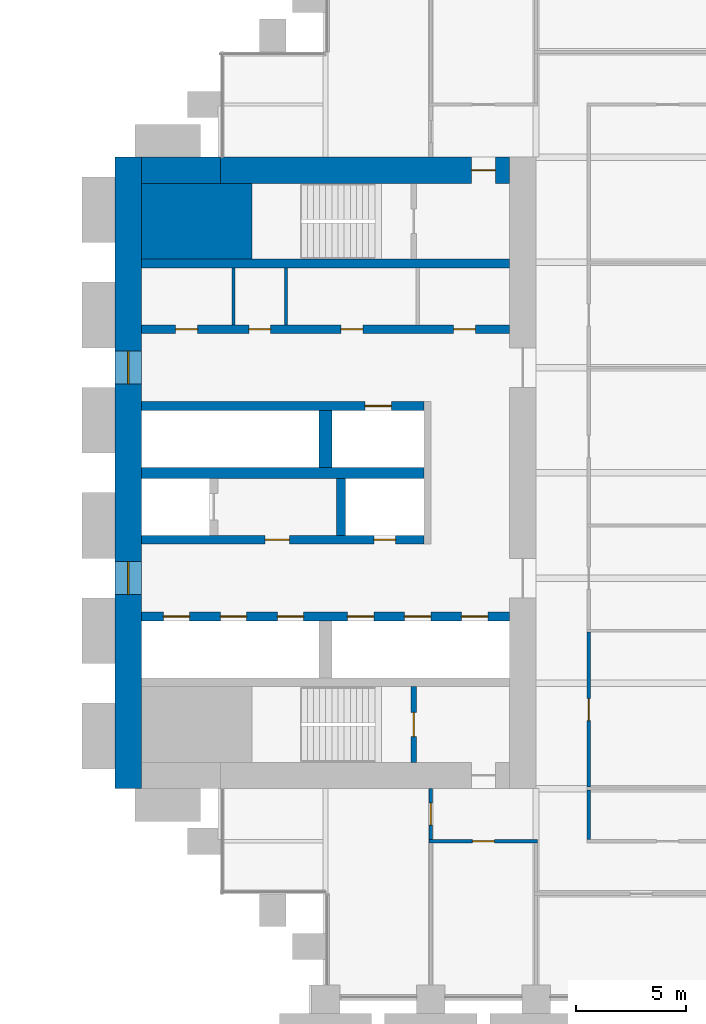
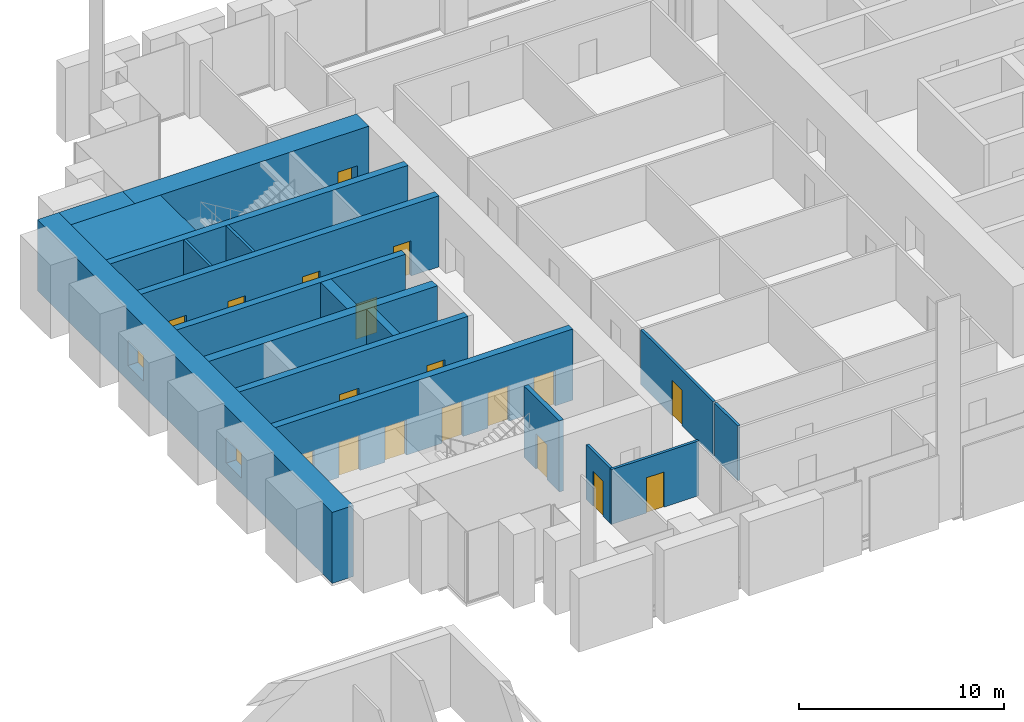
# One storey, part 17 of 22: 19 walls, 18 doors, 2 windows, 20 openings.
"""IFC4 building model written with IfcOpenShell, lengths in metres."""

from ifc_helpers import new_model, si_unit, direction, frame, frame_2d, origin, place, context, subcontext, project, spatial, rectangle, extrude, material, layer, layer_set, type_object, element, fill, save


model = new_model("IFC4")

# Units and contexts
model_context = context("Model", 3, precision=1e-05, world=origin(), true_north=direction((0.0, 1.0)))
body_context = subcontext(model_context, "Body", "Model", "MODEL_VIEW")
ifc_project = project(units=[si_unit("LENGTHUNIT", "METRE"), si_unit("AREAUNIT", "SQUARE_METRE"), si_unit("VOLUMEUNIT", "CUBIC_METRE"), si_unit("PLANEANGLEUNIT", "RADIAN"), si_unit("MASSUNIT", "GRAM", prefix="KILO")], contexts=[model_context])

# Site, building, storey
site_placement = place(None, origin())
site = spatial("IfcSite", under=ifc_project, at=site_placement, CompositionType="ELEMENT")
building_placement = place(site_placement, origin())
building = spatial("IfcBuilding", under=site, at=building_placement, Name="Baori Bourse Tower", CompositionType="ELEMENT")
storey_placement = place(building_placement, frame((0.0, 0.0, 25.800048828125)))
storey = spatial("IfcBuildingStorey", under=building, at=storey_placement, Name="L04", CompositionType="ELEMENT", Elevation=25.800048828125)

# Walls
ifc_material_1 = material(Name="Concrete f'c 70 MPa", Category="concrete")
wall_type_1 = type_object("IfcWallType", Name="Core corner block f'c 70", PredefinedType="SHEAR", material=ifc_material_1)
wall_1_placement = place(storey_placement, frame((1.199951171875, 35.47509765625, 0.0), z_axis=(0.0, 0.0, 1.0), x_axis=(1.0, 0.0, 0.0)))
element("IfcWall", 1, at=wall_1_placement, inside=storey, type_object=wall_type_1, Name="Core wall W22", PredefinedType="SHEAR", context=body_context, shape_type="SweptSolid", body=[
    extrude(rectangle(XDim=5.050048828125, YDim=3.449951171875, at=frame_2d((2.52490234375, 0.0))), origin(), (0.0, 0.0, 1.0), 4.239990234375),
])
ifc_material_2 = material(Name="Blockwork partition", Category="masonry")
ifc_layer_1 = layer(ifc_material_2, 0.14990234375)
ifc_layer_set_1 = layer_set([ifc_layer_1], Name="Core partition 150")
wall_type_2 = type_object("IfcWallType", Name="Core partition 150", PredefinedType="PARTITIONING", material=ifc_layer_set_1)
for number, where, z_axis, x_axis, name in (
    (2, (5.39990234375, 30.75, 0.0), (0.0, 0.0, 1.0), (0.0, 1.0, 0.0), "Partition wall W18"),
    (3, (7.800048828125, 30.75, 0.0), (0.0, 0.0, 1.0), (0.0, 1.0, 0.0), "Partition wall W19"),
):
    element("IfcWall", number, at=place(storey_placement, frame(where, z_axis=z_axis, x_axis=x_axis)), inside=storey, type_object=wall_type_2, Name=name, PredefinedType="PARTITIONING", context=body_context, shape_type="SweptSolid", body=[
        extrude(rectangle(XDim=2.60009765625, YDim=0.14990234375, at=frame_2d((1.300048828125, 0.0))), origin(), (0.0, 0.0, 1.0), 4.239990234375),
    ])

# Wall, openings, windows
ifc_material_3 = material(Name="Concrete f'c 70 MPa", Category="concrete")
ifc_layer_2 = layer(ifc_material_3, 1.199951171875)
ifc_layer_set_2 = layer_set([ifc_layer_2], Name="Core wall 1200 f'c 70")
wall_type_3 = type_object("IfcWallType", Name="Core wall 1200 f'c 70", PredefinedType="SHEAR", material=ifc_layer_set_2)
wall_2_placement = place(storey_placement, frame((0.60009765625, 9.60009765625, 0.0), z_axis=(0.0, 0.0, 1.0), x_axis=(0.0, 1.0, 0.0)))
wall_2 = element("IfcWall", 4, at=wall_2_placement, inside=storey, type_object=wall_type_3, Name="Core wall W01", PredefinedType="SHEAR", context=body_context, shape_type="SweptSolid", body=[
    extrude(rectangle(XDim=28.7998046875, YDim=1.199951171875, at=frame_2d((14.39990234375, 0.0))), origin(), (0.0, 0.0, 1.0), 4.239990234375),
])
opening_1_placement = place(wall_2_placement, frame((8.85009765625, 0.0, 0.89990234375)))
opening_1 = element("IfcOpeningElement", 5, at=opening_1_placement, cuts=wall_2, Name="Opening L04-KW101", PredefinedType="OPENING", context=body_context, shape_type="SweptSolid", body=[
    extrude(rectangle(XDim=1.5, YDim=1.5, at=frame_2d((0.75, 0.75))), frame((0.0, 0.60986328125, 0.0), z_axis=(0.0, -1.0, 0.0), x_axis=(1.0, 0.0, 0.0)), (0.0, 0.0, 1.0), 1.219970703125),
])
opening_2_placement = place(wall_2_placement, frame((18.449951171875, 0.0, 0.89990234375)))
opening_2 = element("IfcOpeningElement", 6, at=opening_2_placement, cuts=wall_2, Name="Opening L04-KW102", PredefinedType="OPENING", context=body_context, shape_type="SweptSolid", body=[
    extrude(rectangle(XDim=1.5, YDim=1.5, at=frame_2d((0.75, 0.75))), frame((0.0, 0.60986328125, 0.0), z_axis=(0.0, -1.0, 0.0), x_axis=(1.0, 0.0, 0.0)), (0.0, 0.0, 1.0), 1.219970703125),
])
ifc_material_4 = material(Name="Pale anodised aluminium", Category="aluminium")
window_type = type_object("IfcWindowType", Name="Lobby window 1500 x 1500", PartitioningType="SINGLE_PANEL", PredefinedType="WINDOW", material=ifc_material_4)
window_1_placement = place(opening_1_placement, origin())
window_1 = element("IfcWindow", 7, at=window_1_placement, inside=storey, type_object=window_type, Name="Outer wall window W L04 1", OverallHeight=1.5, OverallWidth=1.5, PartitioningType="SINGLE_PANEL", PredefinedType="WINDOW", context=body_context, shape_type="SweptSolid", body=[
    extrude(rectangle(XDim=1.5, YDim=1.5, at=frame_2d((0.75, 0.75))), frame((0.0, 0.030029296875, 0.0), z_axis=(0.0, -1.0, 0.0), x_axis=(1.0, 0.0, 0.0)), (0.0, 0.0, 1.0), 0.06005859375),
])
fill(opening_1, window_1)
window_2_placement = place(opening_2_placement, origin())
window_2 = element("IfcWindow", 8, at=window_2_placement, inside=storey, type_object=window_type, Name="Outer wall window W L04 2", OverallHeight=1.5, OverallWidth=1.5, PartitioningType="SINGLE_PANEL", PredefinedType="WINDOW", context=body_context, shape_type="SweptSolid", body=[
    extrude(rectangle(XDim=1.5, YDim=1.5, at=frame_2d((0.75, 0.75))), frame((0.0, 0.030029296875, 0.0), z_axis=(0.0, -1.0, 0.0), x_axis=(1.0, 0.0, 0.0)), (0.0, 0.0, 1.0), 0.06005859375),
])
fill(opening_2, window_2)

# Wall
wall_3_placement = place(storey_placement, frame((1.199951171875, 37.800048828125, 0.0), z_axis=(0.0, 0.0, 1.0), x_axis=(1.0, 0.0, 0.0)))
element("IfcWall", 9, at=wall_3_placement, inside=storey, type_object=wall_type_3, Name="Core wall W24", PredefinedType="SHEAR", context=body_context, shape_type="SweptSolid", body=[
    extrude(rectangle(XDim=3.60009765625, YDim=1.199951171875, at=frame_2d((1.800048828125, 0.0))), origin(), (0.0, 0.0, 1.0), 4.239990234375),
])

# Wall, opening, door
wall_4_placement = place(storey_placement, frame((4.800048828125, 37.800048828125, 0.0), z_axis=(0.0, 0.0, 1.0), x_axis=(1.0, 0.0, 0.0)))
wall_4 = element("IfcWall", 10, at=wall_4_placement, inside=storey, type_object=wall_type_3, Name="Core wall W25", PredefinedType="SHEAR", context=body_context, shape_type="SweptSolid", body=[
    extrude(rectangle(XDim=13.199951171875, YDim=1.199951171875, at=frame_2d((6.60009765625, 0.0))), origin(), (0.0, 0.0, 1.0), 4.239990234375),
])
opening_3_placement = place(wall_4_placement, frame((11.449951171875, 0.0, 0.0)))
opening_3 = element("IfcOpeningElement", 11, at=opening_3_placement, cuts=wall_4, Name="Opening L04-D104", PredefinedType="OPENING", context=body_context, shape_type="SweptSolid", body=[
    extrude(rectangle(XDim=1.10009765625, YDim=2.10009765625, at=frame_2d((0.550048828125, 1.050048828125))), frame((0.0, 0.60986328125, 0.0), z_axis=(0.0, -1.0, 0.0), x_axis=(1.0, 0.0, 0.0)), (0.0, 0.0, 1.0), 1.219970703125),
])
ifc_material_5 = material(Name="Painted steel door", Category="steel")
door_type_1 = type_object("IfcDoorType", Name="Stair door 1100", OperationType="SINGLE_SWING_LEFT", PredefinedType="DOOR", material=ifc_material_5)
door_1_placement = place(opening_3_placement, origin())
door_1 = element("IfcDoor", 12, at=door_1_placement, inside=storey, type_object=door_type_1, Name="Stair vestibule door B W L04", OperationType="SINGLE_SWING_LEFT", OverallHeight=2.10009765625, OverallWidth=1.10009765625, PredefinedType="DOOR", context=body_context, shape_type="SweptSolid", body=[
    extrude(rectangle(XDim=1.10009765625, YDim=2.10009765625, at=frame_2d((0.550048828125, 1.050048828125))), frame((0.0, 0.02490234375, 0.0), z_axis=(0.0, -1.0, 0.0), x_axis=(1.0, 0.0, 0.0)), (0.0, 0.0, 1.0), 0.050048828125),
])
fill(opening_3, door_1)

ifc_material_6 = material(Name="Gypsum board partition")
ifc_layer_3 = layer(ifc_material_6, 0.14990234375)
ifc_layer_set_3 = layer_set([ifc_layer_3], Name="Corridor partition 150")
wall_type_4 = type_object("IfcWallType", Name="Corridor partition 150", PredefinedType="PARTITIONING", material=ifc_layer_set_3)
wall_5_placement = place(storey_placement, frame((14.324951171875, 7.199951171875, 0.0), z_axis=(0.0, 0.0, 1.0), x_axis=(1.0, 0.0, 0.0)))
wall_5 = element("IfcWall", 13, at=wall_5_placement, inside=storey, type_object=wall_type_4, Name="Partition", PredefinedType="PARTITIONING", context=body_context, shape_type="SweptSolid", body=[
    extrude(rectangle(XDim=4.949951171875, YDim=0.14990234375, at=frame_2d((2.47509765625, 0.0))), origin(), (0.0, 0.0, 1.0), 3.269775390625),
])
opening_4_placement = place(wall_5_placement, frame((1.97509765625, 0.0, 0.0)))
opening_4 = element("IfcOpeningElement", 14, at=opening_4_placement, cuts=wall_5, Name="Opening L04-D03", PredefinedType="OPENING", context=body_context, shape_type="SweptSolid", body=[
    extrude(rectangle(XDim=1.0, YDim=2.10009765625, at=frame_2d((0.5, 1.050048828125))), frame((0.0, 0.0849609375, 0.0), z_axis=(0.0, -1.0, 0.0), x_axis=(1.0, 0.0, 0.0)), (0.0, 0.0, 1.0), 0.169921875),
])
ifc_material_7 = material(Name="Timber door leaf", Category="wood")
door_type_2 = type_object("IfcDoorType", Name="Door 1000 x 2100", OperationType="SINGLE_SWING_LEFT", PredefinedType="DOOR", material=ifc_material_7)
door_2_placement = place(opening_4_placement, origin())
door_2 = element("IfcDoor", 15, at=door_2_placement, inside=storey, type_object=door_type_2, Name="Door", OperationType="SINGLE_SWING_RIGHT", OverallHeight=2.10009765625, OverallWidth=1.0, PredefinedType="DOOR", context=body_context, shape_type="SweptSolid", body=[
    extrude(rectangle(XDim=1.0, YDim=2.10009765625, at=frame_2d((0.5, 1.050048828125))), frame((0.0, 0.02490234375, 0.0), z_axis=(0.0, -1.0, 0.0), x_axis=(1.0, 0.0, 0.0)), (0.0, 0.0, 1.0), 0.050048828125),
])
fill(opening_4, door_2)

wall_6_placement = place(storey_placement, frame((14.39990234375, 7.27490234375, 0.0), z_axis=(0.0, 0.0, 1.0), x_axis=(0.0, 1.0, 0.0)))
wall_6 = element("IfcWall", 16, at=wall_6_placement, inside=storey, type_object=wall_type_4, Name="Partition", PredefinedType="PARTITIONING", context=body_context, shape_type="SweptSolid", body=[
    extrude(rectangle(XDim=2.3251953125, YDim=0.14990234375, at=frame_2d((1.16259765625, 0.0))), origin(), (0.0, 0.0, 1.0), 3.269775390625),
])
opening_5_placement = place(wall_6_placement, frame((0.66259765625, 0.0, 0.0)))
opening_5 = element("IfcOpeningElement", 17, at=opening_5_placement, cuts=wall_6, Name="Opening L04-D15", PredefinedType="OPENING", context=body_context, shape_type="SweptSolid", body=[
    extrude(rectangle(XDim=1.0, YDim=2.10009765625, at=frame_2d((0.5, 1.050048828125))), frame((0.0, 0.0849609375, 0.0), z_axis=(0.0, -1.0, 0.0), x_axis=(1.0, 0.0, 0.0)), (0.0, 0.0, 1.0), 0.169921875),
])
door_3_placement = place(opening_5_placement, origin())
door_3 = element("IfcDoor", 18, at=door_3_placement, inside=storey, type_object=door_type_2, Name="Door", OperationType="SINGLE_SWING_RIGHT", OverallHeight=2.10009765625, OverallWidth=1.0, PredefinedType="DOOR", context=body_context, shape_type="SweptSolid", body=[
    extrude(rectangle(XDim=1.0, YDim=2.10009765625, at=frame_2d((0.5, 1.050048828125))), frame((0.0, 0.02490234375, 0.0), z_axis=(0.0, -1.0, 0.0), x_axis=(1.0, 0.0, 0.0)), (0.0, 0.0, 1.0), 0.050048828125),
])
fill(opening_5, door_3)

# Wall
wall_7_placement = place(storey_placement, frame((21.60009765625, 7.27490234375, 0.0), z_axis=(0.0, 0.0, 1.0), x_axis=(0.0, 1.0, 0.0)))
element("IfcWall", 19, at=wall_7_placement, inside=storey, type_object=wall_type_4, Name="Partition", PredefinedType="PARTITIONING", context=body_context, shape_type="SweptSolid", body=[
    extrude(rectangle(XDim=2.2626953125, YDim=0.14990234375, at=frame_2d((1.13134765625, 0.0))), origin(), (0.0, 0.0, 1.0), 3.269775390625),
])

# Wall, opening, door
wall_8_placement = place(storey_placement, frame((21.60009765625, 9.66259765625, 0.0), z_axis=(0.0, 0.0, 1.0), x_axis=(0.0, 1.0, 0.0)))
wall_8 = element("IfcWall", 20, at=wall_8_placement, inside=storey, type_object=wall_type_4, Name="Partition", PredefinedType="PARTITIONING", context=body_context, shape_type="SweptSolid", body=[
    extrude(rectangle(XDim=7.074951171875, YDim=0.14990234375, at=frame_2d((3.53759765625, 0.0))), origin(), (0.0, 0.0, 1.0), 3.269775390625),
])
opening_6_placement = place(wall_8_placement, frame((3.03759765625, 0.0, 0.0)))
opening_6 = element("IfcOpeningElement", 21, at=opening_6_placement, cuts=wall_8, Name="Opening L04-D17", PredefinedType="OPENING", context=body_context, shape_type="SweptSolid", body=[
    extrude(rectangle(XDim=1.0, YDim=2.10009765625, at=frame_2d((0.5, 1.050048828125))), frame((0.0, 0.0849609375, 0.0), z_axis=(0.0, -1.0, 0.0), x_axis=(1.0, 0.0, 0.0)), (0.0, 0.0, 1.0), 0.169921875),
])
door_4_placement = place(opening_6_placement, origin())
door_4 = element("IfcDoor", 22, at=door_4_placement, inside=storey, type_object=door_type_2, Name="Door", OperationType="SINGLE_SWING_LEFT", OverallHeight=2.10009765625, OverallWidth=1.0, PredefinedType="DOOR", context=body_context, shape_type="SweptSolid", body=[
    extrude(rectangle(XDim=1.0, YDim=2.10009765625, at=frame_2d((0.5, 1.050048828125))), frame((0.0, 0.02490234375, 0.0), z_axis=(0.0, -1.0, 0.0), x_axis=(1.0, 0.0, 0.0)), (0.0, 0.0, 1.0), 0.050048828125),
])
fill(opening_6, door_4)

ifc_material_8 = material(Name="Concrete f'c 70 MPa", Category="concrete")
ifc_layer_4 = layer(ifc_material_8, 0.25)
ifc_layer_set_4 = layer_set([ifc_layer_4], Name="Shaft wall 250 f'c 70")
wall_type_5 = type_object("IfcWallType", Name="Shaft wall 250 f'c 70", PredefinedType="SHEAR", material=ifc_layer_set_4)
wall_9_placement = place(storey_placement, frame((13.625, 10.800048828125, 0.0), z_axis=(0.0, 0.0, 1.0), x_axis=(0.0, 1.0, 0.0)))
wall_9 = element("IfcWall", 23, at=wall_9_placement, inside=storey, type_object=wall_type_5, Name="Core wall W06", PredefinedType="SHEAR", context=body_context, shape_type="SweptSolid", body=[
    extrude(rectangle(XDim=3.449951171875, YDim=0.25, at=frame_2d((1.72509765625, 0.0))), origin(), (0.0, 0.0, 1.0), 4.239990234375),
])
opening_7_placement = place(wall_9_placement, frame((1.175048828125, 0.0, 0.0)))
opening_7 = element("IfcOpeningElement", 24, at=opening_7_placement, cuts=wall_9, Name="Opening L04-D101", PredefinedType="OPENING", context=body_context, shape_type="SweptSolid", body=[
    extrude(rectangle(XDim=1.10009765625, YDim=2.10009765625, at=frame_2d((0.550048828125, 1.050048828125))), frame((0.0, 0.135009765625, 0.0), z_axis=(0.0, -1.0, 0.0), x_axis=(1.0, 0.0, 0.0)), (0.0, 0.0, 1.0), 0.27001953125),
])
door_5_placement = place(opening_7_placement, origin())
door_5 = element("IfcDoor", 25, at=door_5_placement, inside=storey, type_object=door_type_1, Name="Stair door A W L04", OperationType="SINGLE_SWING_LEFT", OverallHeight=2.10009765625, OverallWidth=1.10009765625, PredefinedType="DOOR", context=body_context, shape_type="SweptSolid", body=[
    extrude(rectangle(XDim=1.10009765625, YDim=2.10009765625, at=frame_2d((0.550048828125, 1.050048828125))), frame((0.0, 0.02490234375, 0.0), z_axis=(0.0, -1.0, 0.0), x_axis=(1.0, 0.0, 0.0)), (0.0, 0.0, 1.0), 0.050048828125),
])
fill(opening_7, door_5)

# Wall, openings, doors
ifc_material_9 = material(Name="Concrete f'c 70 MPa", Category="concrete")
ifc_layer_5 = layer(ifc_material_9, 0.39990234375)
ifc_layer_set_5 = layer_set([ifc_layer_5], Name="Shaft wall 400 f'c 70")
wall_type_6 = type_object("IfcWallType", Name="Shaft wall 400 f'c 70", PredefinedType="SHEAR", material=ifc_layer_set_5)
wall_10_placement = place(storey_placement, frame((1.199951171875, 17.449951171875, 0.0), z_axis=(0.0, 0.0, 1.0), x_axis=(1.0, 0.0, 0.0)))
wall_10 = element("IfcWall", 26, at=wall_10_placement, inside=storey, type_object=wall_type_6, Name="Core wall W09", PredefinedType="SHEAR", context=body_context, shape_type="SweptSolid", body=[
    extrude(rectangle(XDim=16.800048828125, YDim=0.39990234375, at=frame_2d((8.39990234375, 0.0))), origin(), (0.0, 0.0, 1.0), 4.239990234375),
])
opening_8_placement = place(wall_10_placement, frame((1.0, 0.0, 0.0)))
opening_8 = element("IfcOpeningElement", 27, at=opening_8_placement, cuts=wall_10, Name="Opening L04-D113", PredefinedType="OPENING", context=body_context, shape_type="SweptSolid", body=[
    extrude(rectangle(XDim=1.199951171875, YDim=2.10009765625, at=frame_2d((0.60009765625, 1.050048828125))), frame((0.0, 0.2099609375, 0.0), z_axis=(0.0, -1.0, 0.0), x_axis=(1.0, 0.0, 0.0)), (0.0, 0.0, 1.0), 0.419921875),
])
opening_9_placement = place(wall_10_placement, frame((3.60009765625, 0.0, 0.0)))
opening_9 = element("IfcOpeningElement", 28, at=opening_9_placement, cuts=wall_10, Name="Opening L04-D114", PredefinedType="OPENING", context=body_context, shape_type="SweptSolid", body=[
    extrude(rectangle(XDim=1.199951171875, YDim=2.10009765625, at=frame_2d((0.60009765625, 1.050048828125))), frame((0.0, 0.2099609375, 0.0), z_axis=(0.0, -1.0, 0.0), x_axis=(1.0, 0.0, 0.0)), (0.0, 0.0, 1.0), 0.419921875),
])
opening_10_placement = place(wall_10_placement, frame((6.199951171875, 0.0, 0.0)))
opening_10 = element("IfcOpeningElement", 29, at=opening_10_placement, cuts=wall_10, Name="Opening L04-D115", PredefinedType="OPENING", context=body_context, shape_type="SweptSolid", body=[
    extrude(rectangle(XDim=1.199951171875, YDim=2.10009765625, at=frame_2d((0.60009765625, 1.050048828125))), frame((0.0, 0.2099609375, 0.0), z_axis=(0.0, -1.0, 0.0), x_axis=(1.0, 0.0, 0.0)), (0.0, 0.0, 1.0), 0.419921875),
])
opening_11_placement = place(wall_10_placement, frame((9.39990234375, 0.0, 0.0)))
opening_11 = element("IfcOpeningElement", 30, at=opening_11_placement, cuts=wall_10, Name="Opening L04-D116", PredefinedType="OPENING", context=body_context, shape_type="SweptSolid", body=[
    extrude(rectangle(XDim=1.199951171875, YDim=2.10009765625, at=frame_2d((0.60009765625, 1.050048828125))), frame((0.0, 0.2099609375, 0.0), z_axis=(0.0, -1.0, 0.0), x_axis=(1.0, 0.0, 0.0)), (0.0, 0.0, 1.0), 0.419921875),
])
opening_12_placement = place(wall_10_placement, frame((12.0, 0.0, 0.0)))
opening_12 = element("IfcOpeningElement", 31, at=opening_12_placement, cuts=wall_10, Name="Opening L04-D117", PredefinedType="OPENING", context=body_context, shape_type="SweptSolid", body=[
    extrude(rectangle(XDim=1.199951171875, YDim=2.10009765625, at=frame_2d((0.60009765625, 1.050048828125))), frame((0.0, 0.2099609375, 0.0), z_axis=(0.0, -1.0, 0.0), x_axis=(1.0, 0.0, 0.0)), (0.0, 0.0, 1.0), 0.419921875),
])
opening_13_placement = place(wall_10_placement, frame((14.60009765625, 0.0, 0.0)))
opening_13 = element("IfcOpeningElement", 32, at=opening_13_placement, cuts=wall_10, Name="Opening L04-D118", PredefinedType="OPENING", context=body_context, shape_type="SweptSolid", body=[
    extrude(rectangle(XDim=1.199951171875, YDim=2.10009765625, at=frame_2d((0.60009765625, 1.050048828125))), frame((0.0, 0.2099609375, 0.0), z_axis=(0.0, -1.0, 0.0), x_axis=(1.0, 0.0, 0.0)), (0.0, 0.0, 1.0), 0.419921875),
])
ifc_material_10 = material(Name="Stainless steel door", Category="steel")
door_type_3 = type_object("IfcDoorType", Name="Lift landing door", OperationType="DOUBLE_DOOR_SLIDING", PredefinedType="DOOR", material=ifc_material_10)
door_6_placement = place(opening_8_placement, origin())
door_6 = element("IfcDoor", 33, at=door_6_placement, inside=storey, type_object=door_type_3, Name="Lift landing door LR1 W L04", OperationType="DOUBLE_DOOR_SLIDING", OverallHeight=2.10009765625, OverallWidth=1.199951171875, PredefinedType="DOOR", context=body_context, shape_type="SweptSolid", body=[
    extrude(rectangle(XDim=1.199951171875, YDim=2.10009765625, at=frame_2d((0.60009765625, 1.050048828125))), frame((0.0, 0.02490234375, 0.0), z_axis=(0.0, -1.0, 0.0), x_axis=(1.0, 0.0, 0.0)), (0.0, 0.0, 1.0), 0.050048828125),
])
fill(opening_8, door_6)
door_7_placement = place(opening_9_placement, origin())
door_7 = element("IfcDoor", 34, at=door_7_placement, inside=storey, type_object=door_type_3, Name="Lift landing door LR2 W L04", OperationType="DOUBLE_DOOR_SLIDING", OverallHeight=2.10009765625, OverallWidth=1.199951171875, PredefinedType="DOOR", context=body_context, shape_type="SweptSolid", body=[
    extrude(rectangle(XDim=1.199951171875, YDim=2.10009765625, at=frame_2d((0.60009765625, 1.050048828125))), frame((0.0, 0.02490234375, 0.0), z_axis=(0.0, -1.0, 0.0), x_axis=(1.0, 0.0, 0.0)), (0.0, 0.0, 1.0), 0.050048828125),
])
fill(opening_9, door_7)
door_8_placement = place(opening_10_placement, origin())
door_8 = element("IfcDoor", 35, at=door_8_placement, inside=storey, type_object=door_type_3, Name="Lift landing door LR3 W L04", OperationType="DOUBLE_DOOR_SLIDING", OverallHeight=2.10009765625, OverallWidth=1.199951171875, PredefinedType="DOOR", context=body_context, shape_type="SweptSolid", body=[
    extrude(rectangle(XDim=1.199951171875, YDim=2.10009765625, at=frame_2d((0.60009765625, 1.050048828125))), frame((0.0, 0.02490234375, 0.0), z_axis=(0.0, -1.0, 0.0), x_axis=(1.0, 0.0, 0.0)), (0.0, 0.0, 1.0), 0.050048828125),
])
fill(opening_10, door_8)
door_9_placement = place(opening_11_placement, origin())
door_9 = element("IfcDoor", 36, at=door_9_placement, inside=storey, type_object=door_type_3, Name="Lift landing door LR4 W L04", OperationType="DOUBLE_DOOR_SLIDING", OverallHeight=2.10009765625, OverallWidth=1.199951171875, PredefinedType="DOOR", context=body_context, shape_type="SweptSolid", body=[
    extrude(rectangle(XDim=1.199951171875, YDim=2.10009765625, at=frame_2d((0.60009765625, 1.050048828125))), frame((0.0, 0.02490234375, 0.0), z_axis=(0.0, -1.0, 0.0), x_axis=(1.0, 0.0, 0.0)), (0.0, 0.0, 1.0), 0.050048828125),
])
fill(opening_11, door_9)
door_10_placement = place(opening_12_placement, origin())
door_10 = element("IfcDoor", 37, at=door_10_placement, inside=storey, type_object=door_type_3, Name="Lift landing door LR5 W L04", OperationType="DOUBLE_DOOR_SLIDING", OverallHeight=2.10009765625, OverallWidth=1.199951171875, PredefinedType="DOOR", context=body_context, shape_type="SweptSolid", body=[
    extrude(rectangle(XDim=1.199951171875, YDim=2.10009765625, at=frame_2d((0.60009765625, 1.050048828125))), frame((0.0, 0.02490234375, 0.0), z_axis=(0.0, -1.0, 0.0), x_axis=(1.0, 0.0, 0.0)), (0.0, 0.0, 1.0), 0.050048828125),
])
fill(opening_12, door_10)
door_11_placement = place(opening_13_placement, origin())
door_11 = element("IfcDoor", 38, at=door_11_placement, inside=storey, type_object=door_type_3, Name="Lift landing door LR6 W L04", OperationType="DOUBLE_DOOR_SLIDING", OverallHeight=2.10009765625, OverallWidth=1.199951171875, PredefinedType="DOOR", context=body_context, shape_type="SweptSolid", body=[
    extrude(rectangle(XDim=1.199951171875, YDim=2.10009765625, at=frame_2d((0.60009765625, 1.050048828125))), frame((0.0, 0.02490234375, 0.0), z_axis=(0.0, -1.0, 0.0), x_axis=(1.0, 0.0, 0.0)), (0.0, 0.0, 1.0), 0.050048828125),
])
fill(opening_13, door_11)

wall_11_placement = place(storey_placement, frame((1.199951171875, 20.949951171875, 0.0), z_axis=(0.0, 0.0, 1.0), x_axis=(1.0, 0.0, 0.0)))
wall_11 = element("IfcWall", 39, at=wall_11_placement, inside=storey, type_object=wall_type_6, Name="Core wall W10", PredefinedType="SHEAR", context=body_context, shape_type="SweptSolid", body=[
    extrude(rectangle(XDim=12.900146484375, YDim=0.39990234375, at=frame_2d((6.4501953125, 0.0))), origin(), (0.0, 0.0, 1.0), 4.239990234375),
])
opening_14_placement = place(wall_11_placement, frame((5.64990234375, 0.0, 0.0)))
opening_14 = element("IfcOpeningElement", 40, at=opening_14_placement, cuts=wall_11, Name="Opening L04-D105", PredefinedType="OPENING", context=body_context, shape_type="SweptSolid", body=[
    extrude(rectangle(XDim=1.10009765625, YDim=2.10009765625, at=frame_2d((0.550048828125, 1.050048828125))), frame((0.0, 0.2099609375, 0.0), z_axis=(0.0, -1.0, 0.0), x_axis=(1.0, 0.0, 0.0)), (0.0, 0.0, 1.0), 0.419921875),
])
opening_15_placement = place(wall_11_placement, frame((10.60009765625, 0.0, 0.0)))
opening_15 = element("IfcOpeningElement", 41, at=opening_15_placement, cuts=wall_11, Name="Opening L04-D106", PredefinedType="OPENING", context=body_context, shape_type="SweptSolid", body=[
    extrude(rectangle(XDim=1.0, YDim=2.10009765625, at=frame_2d((0.5, 1.050048828125))), frame((0.0, 0.2099609375, 0.0), z_axis=(0.0, -1.0, 0.0), x_axis=(1.0, 0.0, 0.0)), (0.0, 0.0, 1.0), 0.419921875),
])
ifc_material_11 = material(Name="Painted steel door", Category="steel")
door_type_4 = type_object("IfcDoorType", Name="Lobby door 1100", OperationType="SINGLE_SWING_LEFT", PredefinedType="DOOR", material=ifc_material_11)
door_12_placement = place(opening_14_placement, origin())
door_12 = element("IfcDoor", 42, at=door_12_placement, inside=storey, type_object=door_type_4, Name="Firefighting lobby door W L04", OperationType="SINGLE_SWING_LEFT", OverallHeight=2.10009765625, OverallWidth=1.10009765625, PredefinedType="DOOR", context=body_context, shape_type="SweptSolid", body=[
    extrude(rectangle(XDim=1.10009765625, YDim=2.10009765625, at=frame_2d((0.550048828125, 1.050048828125))), frame((0.0, 0.02490234375, 0.0), z_axis=(0.0, -1.0, 0.0), x_axis=(1.0, 0.0, 0.0)), (0.0, 0.0, 1.0), 0.050048828125),
])
fill(opening_14, door_12)
ifc_material_12 = material(Name="Painted steel door", Category="steel")
door_type_5 = type_object("IfcDoorType", Name="Shaft door 1000", OperationType="SINGLE_SWING_LEFT", PredefinedType="DOOR", material=ifc_material_12)
door_13_placement = place(opening_15_placement, origin())
door_13 = element("IfcDoor", 43, at=door_13_placement, inside=storey, type_object=door_type_5, Name="Riser room door W L04", OperationType="SINGLE_SWING_LEFT", OverallHeight=2.10009765625, OverallWidth=1.0, PredefinedType="DOOR", context=body_context, shape_type="SweptSolid", body=[
    extrude(rectangle(XDim=1.0, YDim=2.10009765625, at=frame_2d((0.5, 1.050048828125))), frame((0.0, 0.02490234375, 0.0), z_axis=(0.0, -1.0, 0.0), x_axis=(1.0, 0.0, 0.0)), (0.0, 0.0, 1.0), 0.050048828125),
])
fill(opening_15, door_13)

# Wall
wall_12_placement = place(storey_placement, frame((10.300048828125, 21.14990234375, 0.0), z_axis=(0.0, 0.0, 1.0), x_axis=(0.0, 1.0, 0.0)))
element("IfcWall", 44, at=wall_12_placement, inside=storey, type_object=wall_type_6, Name="Core wall W13", PredefinedType="SHEAR", context=body_context, shape_type="SweptSolid", body=[
    extrude(rectangle(XDim=2.60009765625, YDim=0.39990234375, at=frame_2d((1.300048828125, 0.0))), origin(), (0.0, 0.0, 1.0), 4.239990234375),
])

# Wall, opening, door
wall_13_placement = place(storey_placement, frame((1.199951171875, 27.050048828125, 0.0), z_axis=(0.0, 0.0, 1.0), x_axis=(1.0, 0.0, 0.0)))
wall_13 = element("IfcWall", 45, at=wall_13_placement, inside=storey, type_object=wall_type_6, Name="Core wall W16", PredefinedType="SHEAR", context=body_context, shape_type="SweptSolid", body=[
    extrude(rectangle(XDim=12.900146484375, YDim=0.39990234375, at=frame_2d((6.4501953125, 0.0))), origin(), (0.0, 0.0, 1.0), 4.239990234375),
])
opening_16_placement = place(wall_13_placement, frame((10.199951171875, 0.0, 0.0)))
opening_16 = element("IfcOpeningElement", 46, at=opening_16_placement, cuts=wall_13, Name="Opening L04-D119", PredefinedType="OPENING", context=body_context, shape_type="SweptSolid", body=[
    extrude(rectangle(XDim=1.199951171875, YDim=2.10009765625, at=frame_2d((0.60009765625, 1.050048828125))), frame((0.0, 0.2099609375, 0.0), z_axis=(0.0, -1.0, 0.0), x_axis=(1.0, 0.0, 0.0)), (0.0, 0.0, 1.0), 0.419921875),
])
door_14_placement = place(opening_16_placement, origin())
door_14 = element("IfcDoor", 47, at=door_14_placement, inside=storey, type_object=door_type_3, Name="Lift landing door SV1 W L04", OperationType="DOUBLE_DOOR_SLIDING", OverallHeight=2.10009765625, OverallWidth=1.199951171875, PredefinedType="DOOR", context=body_context, shape_type="SweptSolid", body=[
    extrude(rectangle(XDim=1.199951171875, YDim=2.10009765625, at=frame_2d((0.60009765625, 1.050048828125))), frame((0.0, 0.02490234375, 0.0), z_axis=(0.0, -1.0, 0.0), x_axis=(1.0, 0.0, 0.0)), (0.0, 0.0, 1.0), 0.050048828125),
])
fill(opening_16, door_14)

# Wall, openings, doors
wall_14_placement = place(storey_placement, frame((1.199951171875, 30.550048828125, 0.0), z_axis=(0.0, 0.0, 1.0), x_axis=(1.0, 0.0, 0.0)))
wall_14 = element("IfcWall", 48, at=wall_14_placement, inside=storey, type_object=wall_type_6, Name="Core wall W17", PredefinedType="SHEAR", context=body_context, shape_type="SweptSolid", body=[
    extrude(rectangle(XDim=16.800048828125, YDim=0.39990234375, at=frame_2d((8.39990234375, 0.0))), origin(), (0.0, 0.0, 1.0), 4.239990234375),
])
opening_17_placement = place(wall_14_placement, frame((1.5625, 0.0, 0.0)))
opening_17 = element("IfcOpeningElement", 49, at=opening_17_placement, cuts=wall_14, Name="Opening L04-D109", PredefinedType="OPENING", context=body_context, shape_type="SweptSolid", body=[
    extrude(rectangle(XDim=1.0, YDim=2.10009765625, at=frame_2d((0.5, 1.050048828125))), frame((0.0, 0.2099609375, 0.0), z_axis=(0.0, -1.0, 0.0), x_axis=(1.0, 0.0, 0.0)), (0.0, 0.0, 1.0), 0.419921875),
])
opening_18_placement = place(wall_14_placement, frame((4.89990234375, 0.0, 0.0)))
opening_18 = element("IfcOpeningElement", 50, at=opening_18_placement, cuts=wall_14, Name="Opening L04-D110", PredefinedType="OPENING", context=body_context, shape_type="SweptSolid", body=[
    extrude(rectangle(XDim=1.0, YDim=2.10009765625, at=frame_2d((0.5, 1.050048828125))), frame((0.0, 0.2099609375, 0.0), z_axis=(0.0, -1.0, 0.0), x_axis=(1.0, 0.0, 0.0)), (0.0, 0.0, 1.0), 0.419921875),
])
opening_19_placement = place(wall_14_placement, frame((9.10009765625, 0.0, 0.0)))
opening_19 = element("IfcOpeningElement", 51, at=opening_19_placement, cuts=wall_14, Name="Opening L04-D111", PredefinedType="OPENING", context=body_context, shape_type="SweptSolid", body=[
    extrude(rectangle(XDim=1.0, YDim=2.10009765625, at=frame_2d((0.5, 1.050048828125))), frame((0.0, 0.2099609375, 0.0), z_axis=(0.0, -1.0, 0.0), x_axis=(1.0, 0.0, 0.0)), (0.0, 0.0, 1.0), 0.419921875),
])
opening_20_placement = place(wall_14_placement, frame((14.237548828125, 0.0, 0.0)))
opening_20 = element("IfcOpeningElement", 52, at=opening_20_placement, cuts=wall_14, Name="Opening L04-D112", PredefinedType="OPENING", context=body_context, shape_type="SweptSolid", body=[
    extrude(rectangle(XDim=1.0, YDim=2.10009765625, at=frame_2d((0.5, 1.050048828125))), frame((0.0, 0.2099609375, 0.0), z_axis=(0.0, -1.0, 0.0), x_axis=(1.0, 0.0, 0.0)), (0.0, 0.0, 1.0), 0.419921875),
])
ifc_material_13 = material(Name="Painted steel door", Category="steel")
door_type_6 = type_object("IfcDoorType", Name="Core door 1000", OperationType="SINGLE_SWING_LEFT", PredefinedType="DOOR", material=ifc_material_13)
door_15_placement = place(opening_17_placement, origin())
door_15 = element("IfcDoor", 53, at=door_15_placement, inside=storey, type_object=door_type_6, Name="Women'S Wc door W L04", OperationType="SINGLE_SWING_LEFT", OverallHeight=2.10009765625, OverallWidth=1.0, PredefinedType="DOOR", context=body_context, shape_type="SweptSolid", body=[
    extrude(rectangle(XDim=1.0, YDim=2.10009765625, at=frame_2d((0.5, 1.050048828125))), frame((0.0, 0.02490234375, 0.0), z_axis=(0.0, -1.0, 0.0), x_axis=(1.0, 0.0, 0.0)), (0.0, 0.0, 1.0), 0.050048828125),
])
fill(opening_17, door_15)
door_16_placement = place(opening_18_placement, origin())
door_16 = element("IfcDoor", 54, at=door_16_placement, inside=storey, type_object=door_type_6, Name="Pantry door W L04", OperationType="SINGLE_SWING_LEFT", OverallHeight=2.10009765625, OverallWidth=1.0, PredefinedType="DOOR", context=body_context, shape_type="SweptSolid", body=[
    extrude(rectangle(XDim=1.0, YDim=2.10009765625, at=frame_2d((0.5, 1.050048828125))), frame((0.0, 0.02490234375, 0.0), z_axis=(0.0, -1.0, 0.0), x_axis=(1.0, 0.0, 0.0)), (0.0, 0.0, 1.0), 0.050048828125),
])
fill(opening_18, door_16)
door_17_placement = place(opening_19_placement, origin())
door_17 = element("IfcDoor", 55, at=door_17_placement, inside=storey, type_object=door_type_6, Name="Men'S Wc door W L04", OperationType="SINGLE_SWING_LEFT", OverallHeight=2.10009765625, OverallWidth=1.0, PredefinedType="DOOR", context=body_context, shape_type="SweptSolid", body=[
    extrude(rectangle(XDim=1.0, YDim=2.10009765625, at=frame_2d((0.5, 1.050048828125))), frame((0.0, 0.02490234375, 0.0), z_axis=(0.0, -1.0, 0.0), x_axis=(1.0, 0.0, 0.0)), (0.0, 0.0, 1.0), 0.050048828125),
])
fill(opening_19, door_17)
door_18_placement = place(opening_20_placement, origin())
door_18 = element("IfcDoor", 56, at=door_18_placement, inside=storey, type_object=door_type_6, Name="Accessible Wc door W L04", OperationType="SINGLE_SWING_LEFT", OverallHeight=2.10009765625, OverallWidth=1.0, PredefinedType="DOOR", context=body_context, shape_type="SweptSolid", body=[
    extrude(rectangle(XDim=1.0, YDim=2.10009765625, at=frame_2d((0.5, 1.050048828125))), frame((0.0, 0.02490234375, 0.0), z_axis=(0.0, -1.0, 0.0), x_axis=(1.0, 0.0, 0.0)), (0.0, 0.0, 1.0), 0.050048828125),
])
fill(opening_20, door_18)

# Walls
wall_15_placement = place(storey_placement, frame((1.199951171875, 33.550048828125, 0.0), z_axis=(0.0, 0.0, 1.0), x_axis=(1.0, 0.0, 0.0)))
element("IfcWall", 57, at=wall_15_placement, inside=storey, type_object=wall_type_6, Name="Core wall W21", PredefinedType="SHEAR", context=body_context, shape_type="SweptSolid", body=[
    extrude(rectangle(XDim=16.800048828125, YDim=0.39990234375, at=frame_2d((8.39990234375, 0.0))), origin(), (0.0, 0.0, 1.0), 4.239990234375),
])
ifc_material_14 = material(Name="Concrete f'c 70 MPa", Category="concrete")
ifc_layer_6 = layer(ifc_material_14, 0.5)
ifc_layer_set_6 = layer_set([ifc_layer_6], Name="Shaft wall 500 f'c 70")
wall_type_7 = type_object("IfcWallType", Name="Shaft wall 500 f'c 70", PredefinedType="SHEAR", material=ifc_layer_set_6)
wall_16_placement = place(storey_placement, frame((1.199951171875, 24.0, 0.0), z_axis=(0.0, 0.0, 1.0), x_axis=(1.0, 0.0, 0.0)))
element("IfcWall", 58, at=wall_16_placement, inside=storey, type_object=wall_type_7, Name="Core wall W14", PredefinedType="SHEAR", context=body_context, shape_type="SweptSolid", body=[
    extrude(rectangle(XDim=12.900146484375, YDim=0.5, at=frame_2d((6.4501953125, 0.0))), origin(), (0.0, 0.0, 1.0), 4.239990234375),
])
ifc_material_15 = material(Name="Concrete f'c 70 MPa", Category="concrete")
ifc_layer_7 = layer(ifc_material_15, 0.60009765625)
ifc_layer_set_7 = layer_set([ifc_layer_7], Name="Shaft wall 600 f'c 70")
wall_type_8 = type_object("IfcWallType", Name="Shaft wall 600 f'c 70", PredefinedType="SHEAR", material=ifc_layer_set_7)
wall_17_placement = place(storey_placement, frame((9.60009765625, 24.25, 0.0), z_axis=(0.0, 0.0, 1.0), x_axis=(0.0, 1.0, 0.0)))
element("IfcWall", 59, at=wall_17_placement, inside=storey, type_object=wall_type_8, Name="Core wall W15", PredefinedType="SHEAR", context=body_context, shape_type="SweptSolid", body=[
    extrude(rectangle(XDim=2.60009765625, YDim=0.60009765625, at=frame_2d((1.300048828125, 0.0))), origin(), (0.0, 0.0, 1.0), 4.239990234375),
])

save(model, "model.ifc")
